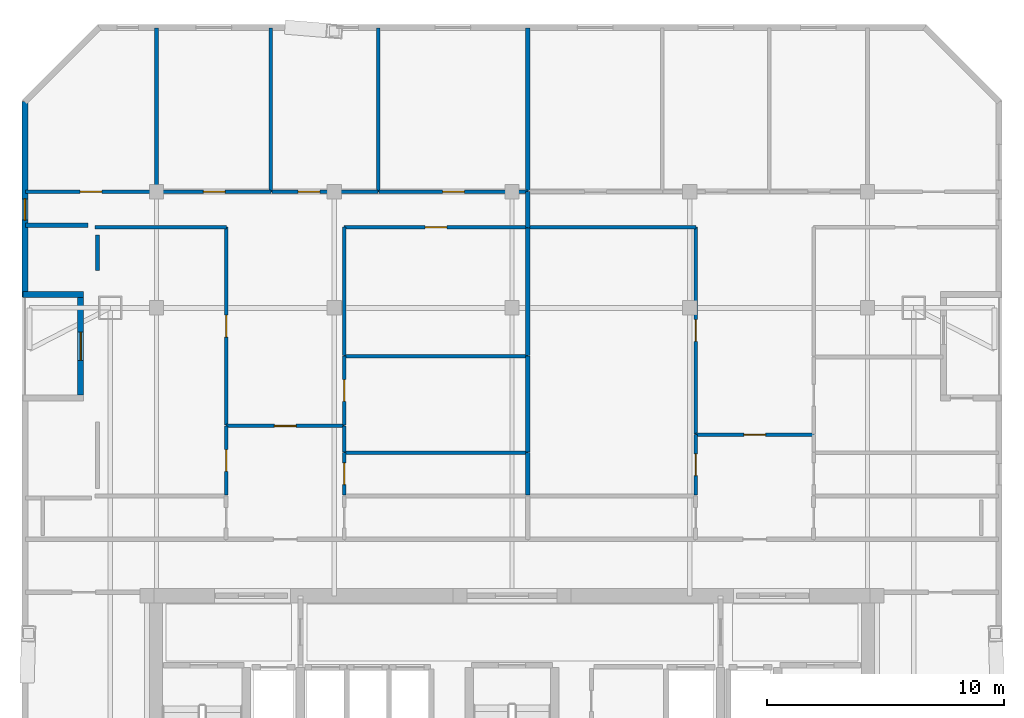
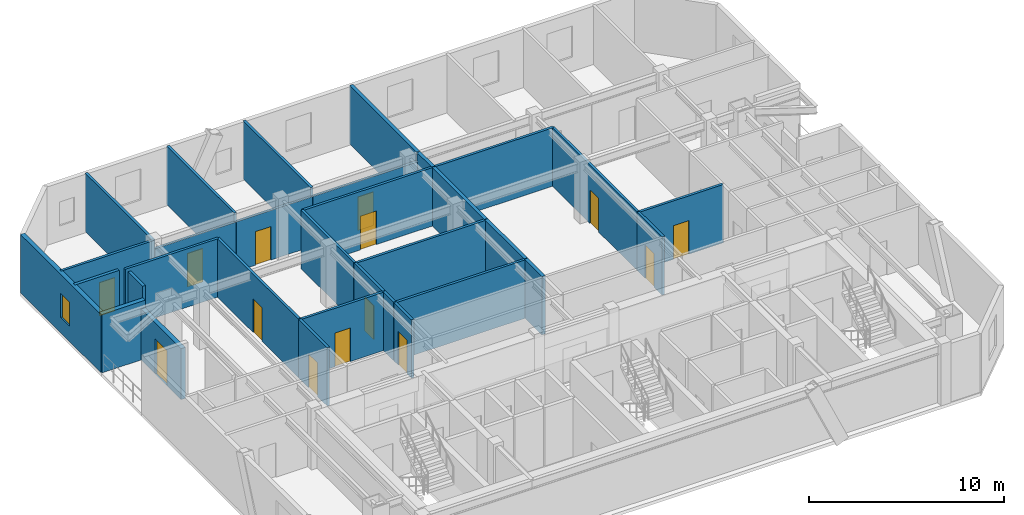
# One storey, part 4 of 7: 32 walls, 14 doors, 1 window, 15 openings.
"""IFC4 building model written with IfcOpenShell, lengths in metres."""

from ifc_helpers import new_model, si_unit, direction, frame, frame_2d, origin, place, context, subcontext, project, spatial, rectangle, extrude, material, layer, layer_set, type_object, element, fill, save


model = new_model("IFC4")

# Units and contexts
model_context = context("Model", 3, precision=1e-05, world=origin(), true_north=direction((0.0, 1.0)))
body_context = subcontext(model_context, "Body", "Model", "MODEL_VIEW")
ifc_project = project(units=[si_unit("LENGTHUNIT", "METRE"), si_unit("AREAUNIT", "SQUARE_METRE"), si_unit("VOLUMEUNIT", "CUBIC_METRE"), si_unit("PLANEANGLEUNIT", "RADIAN"), si_unit("MASSUNIT", "GRAM", prefix="KILO")], contexts=[model_context])

# Site, building, storey
site_placement = place(None, origin())
site = spatial("IfcSite", under=ifc_project, at=site_placement, CompositionType="ELEMENT")
building_placement = place(site_placement, origin())
building = spatial("IfcBuilding", under=site, at=building_placement, Name="Ventersveld Concourse Tower", CompositionType="ELEMENT")
storey_placement = place(building_placement, frame((0.0, 0.0, 264.449951171875)))
storey = spatial("IfcBuildingStorey", under=building, at=storey_placement, Name="L65", CompositionType="ELEMENT", Elevation=264.449951171875)

# Walls
ifc_material_1 = material(Name="Fire-rated autoclaved aerated masonry blockwork", Category="masonry")
ifc_layer_1 = layer(ifc_material_1, 0.179931640625)
ifc_layer_set_1 = layer_set([ifc_layer_1], Name="Fire-rated autoclaved aerated masonry blockwork")
wall_type_1 = type_object("IfcWallType", Name="WL-CORR-180", PredefinedType="PARTITIONING", material=ifc_layer_set_1)
wall_1_placement = place(storey_placement, frame((10.848876953125, 27.090087890625, 0.0), z_axis=(0.0, 0.0, 1.0), x_axis=(-1.0, 0.0, 0.0)))
element("IfcWall", 1, at=wall_1_placement, inside=storey, type_object=wall_type_1, Name="L65 Room Enclosure Wall SP-L65-65N1-LIV", PredefinedType="PARTITIONING", context=body_context, shape_type="SweptSolid", body=[
    extrude(rectangle(XDim=2.630615234375, YDim=0.179931640625, at=frame_2d((1.3154296875, 0.0))), origin(), (0.0, 0.0, 1.0), 3.650146484375),
])
wall_2_placement = place(storey_placement, frame((11.2587890625, 25.169189453125, 0.0), z_axis=(0.0, 0.0, 1.0), x_axis=(0.0, 1.0, 0.0)))
element("IfcWall", 2, at=wall_2_placement, inside=storey, type_object=wall_type_1, Name="L65 Room Enclosure Wall SP-L65-65N1-MEDL0", PredefinedType="PARTITIONING", context=body_context, shape_type="SweptSolid", body=[
    extrude(rectangle(XDim=1.505859375, YDim=0.179931640625, at=frame_2d((0.7529296875, 0.0))), origin(), (0.0, 0.0, 1.0), 3.650146484375),
])
ifc_layer_2 = layer(ifc_material_1, 0.199951171875)
ifc_layer_set_2 = layer_set([ifc_layer_2], Name="Fire-rated autoclaved aerated masonry blockwork")
wall_type_2 = type_object("IfcWallType", Name="WL-DEMISE-200", PredefinedType="PARTITIONING", material=ifc_layer_set_2)
wall_3_placement = place(storey_placement, frame((29.41650390625, 26.9951171875, 0.0), z_axis=(0.0, 0.0, 1.0), x_axis=(0.0, 1.0, 0.0)))
element("IfcWall", 3, at=wall_3_placement, inside=storey, type_object=wall_type_2, Name="L65 Interior Partition SP-L65-65N1-LIV-SP-L65-65N2-LIV", PredefinedType="PARTITIONING", context=body_context, shape_type="SweptSolid", body=[
    extrude(rectangle(XDim=1.509765625, YDim=0.199951171875, at=frame_2d((0.7548828125, 0.0))), origin(), (0.0, 0.0, 1.0), 3.650146484375),
])
wall_4_placement = place(storey_placement, frame((29.41650390625, 15.695068359375, 0.0), z_axis=(0.0, 0.0, 1.0), x_axis=(0.0, 1.0, 0.0)))
element("IfcWall", 4, at=wall_4_placement, inside=storey, type_object=wall_type_2, Name="L65 Interior Partition SP-L65-65N1-KIT-SP-L65-65N2-MEDL0", PredefinedType="PARTITIONING", context=body_context, shape_type="SweptSolid", body=[
    extrude(rectangle(XDim=1.800048828125, YDim=0.199951171875, at=frame_2d((0.89990234375, 0.0))), origin(), (0.0, 0.0, 1.0), 3.650146484375),
])
wall_5_placement = place(storey_placement, frame((29.41650390625, 17.52490234375, 0.0), z_axis=(0.0, 0.0, 1.0), x_axis=(0.0, 1.0, 0.0)))
element("IfcWall", 5, at=wall_5_placement, inside=storey, type_object=wall_type_2, Name="L65 Interior Partition SP-L65-65N1-DENR-SP-L65-65N2-MEDL0", PredefinedType="PARTITIONING", context=body_context, shape_type="SweptSolid", body=[
    extrude(rectangle(XDim=4.041015625, YDim=0.199951171875, at=frame_2d((2.0205078125, 0.0))), origin(), (0.0, 0.0, 1.0), 3.650146484375),
])
wall_6_placement = place(storey_placement, frame((29.41650390625, 21.595703125, 0.0), z_axis=(0.0, 0.0, 1.0), x_axis=(0.0, 1.0, 0.0)))
element("IfcWall", 6, at=wall_6_placement, inside=storey, type_object=wall_type_2, Name="L65 Interior Partition SP-L65-65N1-DENS2-SP-L65-65N2-MEDL0", PredefinedType="PARTITIONING", context=body_context, shape_type="SweptSolid", body=[
    extrude(rectangle(XDim=5.369384765625, YDim=0.199951171875, at=frame_2d((2.6845703125, 0.0))), origin(), (0.0, 0.0, 1.0), 3.650146484375),
])
wall_7_placement = place(storey_placement, frame((29.41650390625, 28.534912109375, 0.0), z_axis=(0.0, 0.0, 1.0), x_axis=(0.0, 1.0, 0.0)))
element("IfcWall", 7, at=wall_7_placement, inside=storey, type_object=wall_type_2, Name="L65 Interior Partition SP-L65-65N1-BR4-SP-L65-65N2-BR1", PredefinedType="PARTITIONING", context=body_context, shape_type="SweptSolid", body=[
    extrude(rectangle(XDim=6.87060546875, YDim=0.199951171875, at=frame_2d((3.435302734375, 0.0))), origin(), (0.0, 0.0, 1.0), 3.650146484375),
])

# Wall, opening, door
ifc_material_2 = material(Name="Autoclaved aerated masonry blockwork", Category="masonry")
ifc_layer_3 = layer(ifc_material_2, 0.14990234375)
ifc_layer_set_3 = layer_set([ifc_layer_3], Name="Autoclaved aerated masonry blockwork")
wall_type_3 = type_object("IfcWallType", Name="WL-INT-150", PredefinedType="PARTITIONING", material=ifc_layer_set_3)
wall_8_placement = place(storey_placement, frame((16.68505859375, 18.6171875, 0.0), z_axis=(0.0, 0.0, 1.0), x_axis=(1.0, 0.0, 0.0)))
wall_8 = element("IfcWall", 8, at=wall_8_placement, inside=storey, type_object=wall_type_3, Name="L65 Interior Partition SP-L65-65N1-FOY-SP-L65-65N1-LIV", PredefinedType="PARTITIONING", context=body_context, shape_type="SweptSolid", body=[
    extrude(rectangle(XDim=4.989990234375, YDim=0.14990234375, at=frame_2d((2.4951171875, 0.0))), origin(), (0.0, 0.0, 1.0), 3.650146484375),
])
opening_1_placement = place(wall_8_placement, frame((2.034912109375, 0.0, 0.0)))
opening_1 = element("IfcOpeningElement", 9, at=opening_1_placement, cuts=wall_8, Name="Opening ID1", PredefinedType="OPENING", context=body_context, shape_type="SweptSolid", body=[
    extrude(rectangle(XDim=0.919921875, YDim=2.10009765625, at=frame_2d((0.4599609375, 1.050048828125))), frame((0.0, 0.0849609375, 0.0), z_axis=(0.0, -1.0, 0.0), x_axis=(1.0, 0.0, 0.0)), (0.0, 0.0, 1.0), 0.169921875),
])
ifc_material_3 = material(Name="Solid-core hardwood veneer timber", Category="wood")
door_type_1 = type_object("IfcDoorType", Name="DR-ROOM-092", OperationType="NOTDEFINED", PredefinedType="DOOR", material=ifc_material_3)
door_1_placement = place(opening_1_placement, origin())
door_1 = element("IfcDoor", 10, at=door_1_placement, inside=storey, type_object=door_type_1, Name="L65 Interior Door SP-L65-65N1-FOY to SP-L65-65N1-LIV (D-L65-3066)", OperationType="SINGLE_SWING_RIGHT", OverallHeight=2.10009765625, OverallWidth=0.919921875, PredefinedType="DOOR", context=body_context, shape_type="SweptSolid", body=[
    extrude(rectangle(XDim=0.919921875, YDim=2.10009765625, at=frame_2d((0.4599609375, 1.050048828125))), frame((0.0, 0.02490234375, 0.0), z_axis=(0.0, -1.0, 0.0), x_axis=(1.0, 0.0, 0.0)), (0.0, 0.0, 1.0), 0.050048828125),
])
fill(opening_1, door_1)

wall_9_placement = place(storey_placement, frame((16.690185546875, 15.695068359375, 0.0), z_axis=(0.0, 0.0, 1.0), x_axis=(0.0, 1.0, 0.0)))
wall_9 = element("IfcWall", 11, at=wall_9_placement, inside=storey, type_object=wall_type_3, Name="L65 Interior Partition SP-L65-65N1-FOY-SP-L65-65N1-MEDL0", PredefinedType="PARTITIONING", context=body_context, shape_type="SweptSolid", body=[
    extrude(rectangle(XDim=2.92724609375, YDim=0.14990234375, at=frame_2d((1.463623046875, 0.0))), origin(), (0.0, 0.0, 1.0), 3.650146484375),
])
opening_2_placement = place(wall_9_placement, frame((1.003662109375, 0.0, 0.0)))
opening_2 = element("IfcOpeningElement", 12, at=opening_2_placement, cuts=wall_9, Name="Opening ID1", PredefinedType="OPENING", context=body_context, shape_type="SweptSolid", body=[
    extrude(rectangle(XDim=0.919921875, YDim=2.10009765625, at=frame_2d((0.4599609375, 1.050048828125))), frame((0.0, 0.0849609375, 0.0), z_axis=(0.0, -1.0, 0.0), x_axis=(1.0, 0.0, 0.0)), (0.0, 0.0, 1.0), 0.169921875),
])
door_2_placement = place(opening_2_placement, origin())
door_2 = element("IfcDoor", 13, at=door_2_placement, inside=storey, type_object=door_type_1, Name="L65 Interior Door SP-L65-65N1-FOY to SP-L65-65N1-MEDL0 (D-L65-3068)", OperationType="SINGLE_SWING_RIGHT", OverallHeight=2.10009765625, OverallWidth=0.919921875, PredefinedType="DOOR", context=body_context, shape_type="SweptSolid", body=[
    extrude(rectangle(XDim=0.919921875, YDim=2.10009765625, at=frame_2d((0.4599609375, 1.050048828125))), frame((0.0, 0.02490234375, 0.0), z_axis=(0.0, -1.0, 0.0), x_axis=(1.0, 0.0, 0.0)), (0.0, 0.0, 1.0), 0.050048828125),
])
fill(opening_2, door_2)

wall_10_placement = place(storey_placement, frame((21.670166015625, 15.695068359375, 0.0), z_axis=(0.0, 0.0, 1.0), x_axis=(0.0, 1.0, 0.0)))
wall_10 = element("IfcWall", 14, at=wall_10_placement, inside=storey, type_object=wall_type_3, Name="L65 Interior Partition SP-L65-65N1-FOY-SP-L65-65N1-KIT", PredefinedType="PARTITIONING", context=body_context, shape_type="SweptSolid", body=[
    extrude(rectangle(XDim=1.800048828125, YDim=0.14990234375, at=frame_2d((0.89990234375, 0.0))), origin(), (0.0, 0.0, 1.0), 3.650146484375),
])
opening_3_placement = place(wall_10_placement, frame((0.43994140625, 0.0, 0.0)))
opening_3 = element("IfcOpeningElement", 15, at=opening_3_placement, cuts=wall_10, Name="Opening ID1", PredefinedType="OPENING", context=body_context, shape_type="SweptSolid", body=[
    extrude(rectangle(XDim=0.919921875, YDim=2.10009765625, at=frame_2d((0.4599609375, 1.050048828125))), frame((0.0, 0.0849609375, 0.0), z_axis=(0.0, -1.0, 0.0), x_axis=(1.0, 0.0, 0.0)), (0.0, 0.0, 1.0), 0.169921875),
])
door_3_placement = place(opening_3_placement, origin())
door_3 = element("IfcDoor", 16, at=door_3_placement, inside=storey, type_object=door_type_1, Name="L65 Interior Door SP-L65-65N1-FOY to SP-L65-65N1-KIT (D-L65-3070)", OperationType="SINGLE_SWING_RIGHT", OverallHeight=2.10009765625, OverallWidth=0.919921875, PredefinedType="DOOR", context=body_context, shape_type="SweptSolid", body=[
    extrude(rectangle(XDim=0.919921875, YDim=2.10009765625, at=frame_2d((0.4599609375, 1.050048828125))), frame((0.0, 0.02490234375, 0.0), z_axis=(0.0, -1.0, 0.0), x_axis=(1.0, 0.0, 0.0)), (0.0, 0.0, 1.0), 0.050048828125),
])
fill(opening_3, door_3)

# Wall
wall_11_placement = place(storey_placement, frame((21.670166015625, 17.52490234375, 0.0), z_axis=(0.0, 0.0, 1.0), x_axis=(0.0, 1.0, 0.0)))
element("IfcWall", 17, at=wall_11_placement, inside=storey, type_object=wall_type_3, Name="L65 Interior Partition SP-L65-65N1-FOY-SP-L65-65N1-DENR", PredefinedType="PARTITIONING", context=body_context, shape_type="SweptSolid", body=[
    extrude(rectangle(XDim=1.097412109375, YDim=0.14990234375, at=frame_2d((0.548828125, 0.0))), origin(), (0.0, 0.0, 1.0), 3.650146484375),
])

# Wall, opening, door
wall_12_placement = place(storey_placement, frame((16.690185546875, 18.652099609375, 0.0), z_axis=(0.0, 0.0, 1.0), x_axis=(0.0, 1.0, 0.0)))
wall_12 = element("IfcWall", 18, at=wall_12_placement, inside=storey, type_object=wall_type_3, Name="L65 Interior Partition SP-L65-65N1-LIV-SP-L65-65N1-MEDL0", PredefinedType="PARTITIONING", context=body_context, shape_type="SweptSolid", body=[
    extrude(rectangle(XDim=8.352783203125, YDim=0.14990234375, at=frame_2d((4.17626953125, 0.0))), origin(), (0.0, 0.0, 1.0), 3.650146484375),
])
opening_4_placement = place(wall_12_placement, frame((3.71630859375, 0.0, 0.0)))
opening_4 = element("IfcOpeningElement", 19, at=opening_4_placement, cuts=wall_12, Name="Opening ID1", PredefinedType="OPENING", context=body_context, shape_type="SweptSolid", body=[
    extrude(rectangle(XDim=0.919921875, YDim=2.10009765625, at=frame_2d((0.4599609375, 1.050048828125))), frame((0.0, 0.0849609375, 0.0), z_axis=(0.0, -1.0, 0.0), x_axis=(1.0, 0.0, 0.0)), (0.0, 0.0, 1.0), 0.169921875),
])
door_4_placement = place(opening_4_placement, origin())
door_4 = element("IfcDoor", 20, at=door_4_placement, inside=storey, type_object=door_type_1, Name="L65 Interior Door SP-L65-65N1-LIV to SP-L65-65N1-MEDL0 (D-L65-3071)", OperationType="SINGLE_SWING_LEFT", OverallHeight=2.10009765625, OverallWidth=0.919921875, PredefinedType="DOOR", context=body_context, shape_type="SweptSolid", body=[
    extrude(rectangle(XDim=0.919921875, YDim=2.10009765625, at=frame_2d((0.4599609375, 1.050048828125))), frame((0.0, 0.02490234375, 0.0), z_axis=(0.0, -1.0, 0.0), x_axis=(1.0, 0.0, 0.0)), (0.0, 0.0, 1.0), 0.050048828125),
])
fill(opening_4, door_4)

# Wall
wall_13_placement = place(storey_placement, frame((11.163818359375, 27.0, 0.0), z_axis=(0.0, 0.0, 1.0), x_axis=(1.0, 0.0, 0.0)))
element("IfcWall", 21, at=wall_13_placement, inside=storey, type_object=wall_type_3, Name="L65 Interior Partition SP-L65-65N1-LIV-SP-L65-65N1-MEDL0", PredefinedType="PARTITIONING", context=body_context, shape_type="SweptSolid", body=[
    extrude(rectangle(XDim=5.53125, YDim=0.14990234375, at=frame_2d((2.765625, 0.0))), origin(), (0.0, 0.0, 1.0), 3.650146484375),
])

# Wall, opening, door
wall_14_placement = place(storey_placement, frame((21.670166015625, 18.652099609375, 0.0), z_axis=(0.0, 0.0, 1.0), x_axis=(0.0, 1.0, 0.0)))
wall_14 = element("IfcWall", 22, at=wall_14_placement, inside=storey, type_object=wall_type_3, Name="L65 Interior Partition SP-L65-65N1-LIV-SP-L65-65N1-DENR", PredefinedType="PARTITIONING", context=body_context, shape_type="SweptSolid", body=[
    extrude(rectangle(XDim=2.913818359375, YDim=0.14990234375, at=frame_2d((1.45703125, 0.0))), origin(), (0.0, 0.0, 1.0), 3.650146484375),
])
opening_5_placement = place(wall_14_placement, frame((0.996826171875, 0.0, 0.0)))
opening_5 = element("IfcOpeningElement", 23, at=opening_5_placement, cuts=wall_14, Name="Opening ID1", PredefinedType="OPENING", context=body_context, shape_type="SweptSolid", body=[
    extrude(rectangle(XDim=0.919921875, YDim=2.10009765625, at=frame_2d((0.4599609375, 1.050048828125))), frame((0.0, 0.0849609375, 0.0), z_axis=(0.0, -1.0, 0.0), x_axis=(1.0, 0.0, 0.0)), (0.0, 0.0, 1.0), 0.169921875),
])
door_5_placement = place(opening_5_placement, origin())
door_5 = element("IfcDoor", 24, at=door_5_placement, inside=storey, type_object=door_type_1, Name="L65 Interior Door SP-L65-65N1-LIV to SP-L65-65N1-DENR (D-L65-3072)", OperationType="SINGLE_SWING_RIGHT", OverallHeight=2.10009765625, OverallWidth=0.919921875, PredefinedType="DOOR", context=body_context, shape_type="SweptSolid", body=[
    extrude(rectangle(XDim=0.919921875, YDim=2.10009765625, at=frame_2d((0.4599609375, 1.050048828125))), frame((0.0, 0.02490234375, 0.0), z_axis=(0.0, -1.0, 0.0), x_axis=(1.0, 0.0, 0.0)), (0.0, 0.0, 1.0), 0.050048828125),
])
fill(opening_5, door_5)

wall_15_placement = place(storey_placement, frame((21.6650390625, 27.0, 0.0), z_axis=(0.0, 0.0, 1.0), x_axis=(1.0, 0.0, 0.0)))
wall_15 = element("IfcWall", 25, at=wall_15_placement, inside=storey, type_object=wall_type_3, Name="L65 Interior Partition SP-L65-65N1-LIV-SP-L65-65N1-DENS2", PredefinedType="PARTITIONING", context=body_context, shape_type="SweptSolid", body=[
    extrude(rectangle(XDim=7.756591796875, YDim=0.14990234375, at=frame_2d((3.87841796875, 0.0))), origin(), (0.0, 0.0, 1.0), 3.650146484375),
])
opening_6_placement = place(wall_15_placement, frame((3.418212890625, 0.0, 0.0)))
opening_6 = element("IfcOpeningElement", 26, at=opening_6_placement, cuts=wall_15, Name="Opening ID1", PredefinedType="OPENING", context=body_context, shape_type="SweptSolid", body=[
    extrude(rectangle(XDim=0.919921875, YDim=2.10009765625, at=frame_2d((0.4599609375, 1.050048828125))), frame((0.0, 0.0849609375, 0.0), z_axis=(0.0, -1.0, 0.0), x_axis=(1.0, 0.0, 0.0)), (0.0, 0.0, 1.0), 0.169921875),
])
door_6_placement = place(opening_6_placement, origin())
door_6 = element("IfcDoor", 27, at=door_6_placement, inside=storey, type_object=door_type_1, Name="L65 Interior Door SP-L65-65N1-LIV to SP-L65-65N1-DENS2 (D-L65-3073)", OperationType="SINGLE_SWING_LEFT", OverallHeight=2.10009765625, OverallWidth=0.919921875, PredefinedType="DOOR", context=body_context, shape_type="SweptSolid", body=[
    extrude(rectangle(XDim=0.919921875, YDim=2.10009765625, at=frame_2d((0.4599609375, 1.050048828125))), frame((0.0, 0.02490234375, 0.0), z_axis=(0.0, -1.0, 0.0), x_axis=(1.0, 0.0, 0.0)), (0.0, 0.0, 1.0), 0.050048828125),
])
fill(opening_6, door_6)

# Wall
wall_16_placement = place(storey_placement, frame((21.670166015625, 21.595703125, 0.0), z_axis=(0.0, 0.0, 1.0), x_axis=(0.0, 1.0, 0.0)))
element("IfcWall", 28, at=wall_16_placement, inside=storey, type_object=wall_type_3, Name="L65 Interior Partition SP-L65-65N1-LIV-SP-L65-65N1-DENS2", PredefinedType="PARTITIONING", context=body_context, shape_type="SweptSolid", body=[
    extrude(rectangle(XDim=5.4091796875, YDim=0.14990234375, at=frame_2d((2.70458984375, 0.0))), origin(), (0.0, 0.0, 1.0), 3.650146484375),
])

# Wall, opening, door
wall_17_placement = place(storey_placement, frame((8.21826171875, 28.5, 0.0), z_axis=(0.0, 0.0, 1.0), x_axis=(1.0, 0.0, 0.0)))
wall_17 = element("IfcWall", 29, at=wall_17_placement, inside=storey, type_object=wall_type_3, Name="L65 Interior Partition SP-L65-65N1-LIV-SP-L65-65N1-BR1", PredefinedType="PARTITIONING", context=body_context, shape_type="SweptSolid", body=[
    extrude(rectangle(XDim=5.53662109375, YDim=0.14990234375, at=frame_2d((2.768310546875, 0.0))), origin(), (0.0, 0.0, 1.0), 3.650146484375),
])
opening_7_placement = place(wall_17_placement, frame((2.308349609375, 0.0, 0.0)))
opening_7 = element("IfcOpeningElement", 30, at=opening_7_placement, cuts=wall_17, Name="Opening ID1", PredefinedType="OPENING", context=body_context, shape_type="SweptSolid", body=[
    extrude(rectangle(XDim=0.919921875, YDim=2.10009765625, at=frame_2d((0.4599609375, 1.050048828125))), frame((0.0, 0.0849609375, 0.0), z_axis=(0.0, -1.0, 0.0), x_axis=(1.0, 0.0, 0.0)), (0.0, 0.0, 1.0), 0.169921875),
])
door_7_placement = place(opening_7_placement, origin())
door_7 = element("IfcDoor", 31, at=door_7_placement, inside=storey, type_object=door_type_1, Name="L65 Interior Door SP-L65-65N1-LIV to SP-L65-65N1-BR1 (D-L65-3074)", OperationType="SINGLE_SWING_RIGHT", OverallHeight=2.10009765625, OverallWidth=0.919921875, PredefinedType="DOOR", context=body_context, shape_type="SweptSolid", body=[
    extrude(rectangle(XDim=0.919921875, YDim=2.10009765625, at=frame_2d((0.4599609375, 1.050048828125))), frame((0.0, 0.02490234375, 0.0), z_axis=(0.0, -1.0, 0.0), x_axis=(1.0, 0.0, 0.0)), (0.0, 0.0, 1.0), 0.050048828125),
])
fill(opening_7, door_7)

wall_18_placement = place(storey_placement, frame((13.784912109375, 28.5, 0.0), z_axis=(0.0, 0.0, 1.0), x_axis=(1.0, 0.0, 0.0)))
wall_18 = element("IfcWall", 32, at=wall_18_placement, inside=storey, type_object=wall_type_3, Name="L65 Interior Partition SP-L65-65N1-LIV-SP-L65-65N1-BR2", PredefinedType="PARTITIONING", context=body_context, shape_type="SweptSolid", body=[
    extrude(rectangle(XDim=4.799560546875, YDim=0.14990234375, at=frame_2d((2.39990234375, 0.0))), origin(), (0.0, 0.0, 1.0), 3.10546875),
])
opening_8_placement = place(wall_18_placement, frame((1.939697265625, 0.0, 0.0)))
opening_8 = element("IfcOpeningElement", 33, at=opening_8_placement, cuts=wall_18, Name="Opening ID1", PredefinedType="OPENING", context=body_context, shape_type="SweptSolid", body=[
    extrude(rectangle(XDim=0.919921875, YDim=2.10009765625, at=frame_2d((0.4599609375, 1.050048828125))), frame((0.0, 0.0849609375, 0.0), z_axis=(0.0, -1.0, 0.0), x_axis=(1.0, 0.0, 0.0)), (0.0, 0.0, 1.0), 0.169921875),
])
door_8_placement = place(opening_8_placement, origin())
door_8 = element("IfcDoor", 34, at=door_8_placement, inside=storey, type_object=door_type_1, Name="L65 Interior Door SP-L65-65N1-LIV to SP-L65-65N1-BR2 (D-L65-3075)", OperationType="SINGLE_SWING_LEFT", OverallHeight=2.10009765625, OverallWidth=0.919921875, PredefinedType="DOOR", context=body_context, shape_type="SweptSolid", body=[
    extrude(rectangle(XDim=0.919921875, YDim=2.10009765625, at=frame_2d((0.4599609375, 1.050048828125))), frame((0.0, 0.02490234375, 0.0), z_axis=(0.0, -1.0, 0.0), x_axis=(1.0, 0.0, 0.0)), (0.0, 0.0, 1.0), 0.050048828125),
])
fill(opening_8, door_8)

wall_19_placement = place(storey_placement, frame((18.614501953125, 28.5, 0.0), z_axis=(0.0, 0.0, 1.0), x_axis=(1.0, 0.0, 0.0)))
wall_19 = element("IfcWall", 35, at=wall_19_placement, inside=storey, type_object=wall_type_3, Name="L65 Interior Partition SP-L65-65N1-LIV-SP-L65-65N1-BR3", PredefinedType="PARTITIONING", context=body_context, shape_type="SweptSolid", body=[
    extrude(rectangle(XDim=4.489501953125, YDim=0.14990234375, at=frame_2d((2.24462890625, 0.0))), origin(), (0.0, 0.0, 1.0), 3.10546875),
])
opening_9_placement = place(wall_19_placement, frame((1.111328125, 0.0, 0.0)))
opening_9 = element("IfcOpeningElement", 36, at=opening_9_placement, cuts=wall_19, Name="Opening ID1", PredefinedType="OPENING", context=body_context, shape_type="SweptSolid", body=[
    extrude(rectangle(XDim=0.919921875, YDim=2.10009765625, at=frame_2d((0.4599609375, 1.050048828125))), frame((0.0, 0.0849609375, 0.0), z_axis=(0.0, -1.0, 0.0), x_axis=(1.0, 0.0, 0.0)), (0.0, 0.0, 1.0), 0.169921875),
])
door_9_placement = place(opening_9_placement, origin())
door_9 = element("IfcDoor", 37, at=door_9_placement, inside=storey, type_object=door_type_1, Name="L65 Interior Door SP-L65-65N1-LIV to SP-L65-65N1-BR3 (D-L65-3076)", OperationType="SINGLE_SWING_RIGHT", OverallHeight=2.10009765625, OverallWidth=0.919921875, PredefinedType="DOOR", context=body_context, shape_type="SweptSolid", body=[
    extrude(rectangle(XDim=0.919921875, YDim=2.10009765625, at=frame_2d((0.4599609375, 1.050048828125))), frame((0.0, 0.02490234375, 0.0), z_axis=(0.0, -1.0, 0.0), x_axis=(1.0, 0.0, 0.0)), (0.0, 0.0, 1.0), 0.050048828125),
])
fill(opening_9, door_9)

wall_20_placement = place(storey_placement, frame((23.134033203125, 28.5, 0.0), z_axis=(0.0, 0.0, 1.0), x_axis=(1.0, 0.0, 0.0)))
wall_20 = element("IfcWall", 38, at=wall_20_placement, inside=storey, type_object=wall_type_3, Name="L65 Interior Partition SP-L65-65N1-LIV-SP-L65-65N1-BR4", PredefinedType="PARTITIONING", context=body_context, shape_type="SweptSolid", body=[
    extrude(rectangle(XDim=6.28759765625, YDim=0.14990234375, at=frame_2d((3.143798828125, 0.0))), origin(), (0.0, 0.0, 1.0), 3.10546875),
])
opening_10_placement = place(wall_20_placement, frame((2.683837890625, 0.0, 0.0)))
opening_10 = element("IfcOpeningElement", 39, at=opening_10_placement, cuts=wall_20, Name="Opening ID1", PredefinedType="OPENING", context=body_context, shape_type="SweptSolid", body=[
    extrude(rectangle(XDim=0.919921875, YDim=2.10009765625, at=frame_2d((0.4599609375, 1.050048828125))), frame((0.0, 0.0849609375, 0.0), z_axis=(0.0, -1.0, 0.0), x_axis=(1.0, 0.0, 0.0)), (0.0, 0.0, 1.0), 0.169921875),
])
door_10_placement = place(opening_10_placement, origin())
door_10 = element("IfcDoor", 40, at=door_10_placement, inside=storey, type_object=door_type_1, Name="L65 Interior Door SP-L65-65N1-LIV to SP-L65-65N1-BR4 (D-L65-3077)", OperationType="SINGLE_SWING_LEFT", OverallHeight=2.10009765625, OverallWidth=0.919921875, PredefinedType="DOOR", context=body_context, shape_type="SweptSolid", body=[
    extrude(rectangle(XDim=0.919921875, YDim=2.10009765625, at=frame_2d((0.4599609375, 1.050048828125))), frame((0.0, 0.02490234375, 0.0), z_axis=(0.0, -1.0, 0.0), x_axis=(1.0, 0.0, 0.0)), (0.0, 0.0, 1.0), 0.050048828125),
])
fill(opening_10, door_10)

# Walls
for number, where, z_axis, x_axis, name in (
    (41, (21.6650390625, 17.489990234375, 0.0), (0.0, 0.0, 1.0), (1.0, 0.0, 0.0), "L65 Interior Partition SP-L65-65N1-KIT-SP-L65-65N1-DENR"),
    (42, (21.6650390625, 21.560791015625, 0.0), (0.0, 0.0, 1.0), (1.0, 0.0, 0.0), "L65 Interior Partition SP-L65-65N1-DENR-SP-L65-65N1-DENS2"),
):
    element("IfcWall", number, at=place(storey_placement, frame(where, z_axis=z_axis, x_axis=x_axis)), inside=storey, type_object=wall_type_3, Name=name, PredefinedType="PARTITIONING", context=body_context, shape_type="SweptSolid", body=[
        extrude(rectangle(XDim=7.756591796875, YDim=0.14990234375, at=frame_2d((3.87841796875, 0.0))), origin(), (0.0, 0.0, 1.0), 3.650146484375),
    ])
for number, where, z_axis, x_axis, name in (
    (43, (13.75, 28.4951171875, 0.0), (0.0, 0.0, 1.0), (0.0, 1.0, 0.0), "L65 Interior Partition SP-L65-65N1-BR1-SP-L65-65N1-BR2"),
    (44, (18.57958984375, 28.4951171875, 0.0), (0.0, 0.0, 1.0), (0.0, 1.0, 0.0), "L65 Interior Partition SP-L65-65N1-BR2-SP-L65-65N1-BR3"),
    (45, (23.09912109375, 28.4951171875, 0.0), (0.0, 0.0, 1.0), (0.0, 1.0, 0.0), "L65 Interior Partition SP-L65-65N1-BR3-SP-L65-65N1-BR4"),
):
    element("IfcWall", number, at=place(storey_placement, frame(where, z_axis=z_axis, x_axis=x_axis)), inside=storey, type_object=wall_type_3, Name=name, PredefinedType="PARTITIONING", context=body_context, shape_type="SweptSolid", body=[
        extrude(rectangle(XDim=6.910400390625, YDim=0.14990234375, at=frame_2d((3.455078125, 0.0))), origin(), (0.0, 0.0, 1.0), 3.650146484375),
    ])

# Wall, opening, door
wall_21_placement = place(storey_placement, frame((36.494384765625, 18.25048828125, 0.0), z_axis=(0.0, 0.0, 1.0), x_axis=(1.0, 0.0, 0.0)))
wall_21 = element("IfcWall", 46, at=wall_21_placement, inside=storey, type_object=wall_type_3, Name="L65 Interior Partition SP-L65-65N2-FOY-SP-L65-65N2-LIV", PredefinedType="PARTITIONING", context=body_context, shape_type="SweptSolid", body=[
    extrude(rectangle(XDim=4.989990234375, YDim=0.14990234375, at=frame_2d((2.4951171875, 0.0))), origin(), (0.0, 0.0, 1.0), 3.650146484375),
])
opening_11_placement = place(wall_21_placement, frame((2.034912109375, 0.0, 0.0)))
opening_11 = element("IfcOpeningElement", 47, at=opening_11_placement, cuts=wall_21, Name="Opening ID1", PredefinedType="OPENING", context=body_context, shape_type="SweptSolid", body=[
    extrude(rectangle(XDim=0.919921875, YDim=2.10009765625, at=frame_2d((0.4599609375, 1.050048828125))), frame((0.0, 0.0849609375, 0.0), z_axis=(0.0, -1.0, 0.0), x_axis=(1.0, 0.0, 0.0)), (0.0, 0.0, 1.0), 0.169921875),
])
door_11_placement = place(opening_11_placement, origin())
door_11 = element("IfcDoor", 48, at=door_11_placement, inside=storey, type_object=door_type_1, Name="L65 Interior Door SP-L65-65N2-FOY to SP-L65-65N2-LIV (D-L65-3078)", OperationType="SINGLE_SWING_RIGHT", OverallHeight=2.10009765625, OverallWidth=0.919921875, PredefinedType="DOOR", context=body_context, shape_type="SweptSolid", body=[
    extrude(rectangle(XDim=0.919921875, YDim=2.10009765625, at=frame_2d((0.4599609375, 1.050048828125))), frame((0.0, 0.02490234375, 0.0), z_axis=(0.0, -1.0, 0.0), x_axis=(1.0, 0.0, 0.0)), (0.0, 0.0, 1.0), 0.050048828125),
])
fill(opening_11, door_11)

wall_22_placement = place(storey_placement, frame((36.499267578125, 15.695068359375, 0.0), z_axis=(0.0, 0.0, 1.0), x_axis=(0.0, 1.0, 0.0)))
wall_22 = element("IfcWall", 49, at=wall_22_placement, inside=storey, type_object=wall_type_3, Name="L65 Interior Partition SP-L65-65N2-FOY-SP-L65-65N2-MEDL0", PredefinedType="PARTITIONING", context=body_context, shape_type="SweptSolid", body=[
    extrude(rectangle(XDim=2.560546875, YDim=0.14990234375, at=frame_2d((1.2802734375, 0.0))), origin(), (0.0, 0.0, 1.0), 3.650146484375),
])
opening_12_placement = place(wall_22_placement, frame((0.8203125, 0.0, 0.0)))
opening_12 = element("IfcOpeningElement", 50, at=opening_12_placement, cuts=wall_22, Name="Opening ID1", PredefinedType="OPENING", context=body_context, shape_type="SweptSolid", body=[
    extrude(rectangle(XDim=0.919921875, YDim=2.10009765625, at=frame_2d((0.4599609375, 1.050048828125))), frame((0.0, 0.0849609375, 0.0), z_axis=(0.0, -1.0, 0.0), x_axis=(1.0, 0.0, 0.0)), (0.0, 0.0, 1.0), 0.169921875),
])
door_12_placement = place(opening_12_placement, origin())
door_12 = element("IfcDoor", 51, at=door_12_placement, inside=storey, type_object=door_type_1, Name="L65 Interior Door SP-L65-65N2-FOY to SP-L65-65N2-MEDL0 (D-L65-3080)", OperationType="SINGLE_SWING_RIGHT", OverallHeight=2.10009765625, OverallWidth=0.919921875, PredefinedType="DOOR", context=body_context, shape_type="SweptSolid", body=[
    extrude(rectangle(XDim=0.919921875, YDim=2.10009765625, at=frame_2d((0.4599609375, 1.050048828125))), frame((0.0, 0.02490234375, 0.0), z_axis=(0.0, -1.0, 0.0), x_axis=(1.0, 0.0, 0.0)), (0.0, 0.0, 1.0), 0.050048828125),
])
fill(opening_12, door_12)

wall_23_placement = place(storey_placement, frame((36.499267578125, 18.28564453125, 0.0), z_axis=(0.0, 0.0, 1.0), x_axis=(0.0, 1.0, 0.0)))
wall_23 = element("IfcWall", 52, at=wall_23_placement, inside=storey, type_object=wall_type_3, Name="L65 Interior Partition SP-L65-65N2-LIV-SP-L65-65N2-MEDL0", PredefinedType="PARTITIONING", context=body_context, shape_type="SweptSolid", body=[
    extrude(rectangle(XDim=8.71923828125, YDim=0.14990234375, at=frame_2d((4.359619140625, 0.0))), origin(), (0.0, 0.0, 1.0), 3.650146484375),
])
opening_13_placement = place(wall_23_placement, frame((3.899658203125, 0.0, 0.0)))
opening_13 = element("IfcOpeningElement", 53, at=opening_13_placement, cuts=wall_23, Name="Opening ID1", PredefinedType="OPENING", context=body_context, shape_type="SweptSolid", body=[
    extrude(rectangle(XDim=0.919921875, YDim=2.10009765625, at=frame_2d((0.4599609375, 1.050048828125))), frame((0.0, 0.0849609375, 0.0), z_axis=(0.0, -1.0, 0.0), x_axis=(1.0, 0.0, 0.0)), (0.0, 0.0, 1.0), 0.169921875),
])
door_13_placement = place(opening_13_placement, origin())
door_13 = element("IfcDoor", 54, at=door_13_placement, inside=storey, type_object=door_type_1, Name="L65 Interior Door SP-L65-65N2-LIV to SP-L65-65N2-MEDL0 (D-L65-3083)", OperationType="SINGLE_SWING_LEFT", OverallHeight=2.10009765625, OverallWidth=0.919921875, PredefinedType="DOOR", context=body_context, shape_type="SweptSolid", body=[
    extrude(rectangle(XDim=0.919921875, YDim=2.10009765625, at=frame_2d((0.4599609375, 1.050048828125))), frame((0.0, 0.02490234375, 0.0), z_axis=(0.0, -1.0, 0.0), x_axis=(1.0, 0.0, 0.0)), (0.0, 0.0, 1.0), 0.050048828125),
])
fill(opening_13, door_13)

# Wall
wall_24_placement = place(storey_placement, frame((29.45166015625, 27.0, 0.0), z_axis=(0.0, 0.0, 1.0), x_axis=(1.0, 0.0, 0.0)))
element("IfcWall", 55, at=wall_24_placement, inside=storey, type_object=wall_type_3, Name="L65 Interior Partition SP-L65-65N2-LIV-SP-L65-65N2-MEDL0", PredefinedType="PARTITIONING", context=body_context, shape_type="SweptSolid", body=[
    extrude(rectangle(XDim=7.052734375, YDim=0.14990234375, at=frame_2d((3.5263671875, 0.0))), origin(), (0.0, 0.0, 1.0), 3.650146484375),
])

# Wall, opening, window
ifc_material_4 = material(Name="Precast concrete C45/55", Category="concrete")
ifc_layer_4 = layer(ifc_material_4, 0.260009765625)
ifc_layer_set_4 = layer_set([ifc_layer_4], Name="Precast concrete C45/55")
wall_type_4 = type_object("IfcWallType", Name="WL-PREC-260", PredefinedType="SOLIDWALL", material=ifc_layer_set_4)
wall_25_placement = place(storey_placement, frame((8.19873046875, 32.31494140625, 0.0), z_axis=(0.0, 0.0, 1.0), x_axis=(0.0, -1.0, 0.0)))
wall_25 = element("IfcWall", 56, at=wall_25_placement, inside=storey, type_object=wall_type_4, Name="L65 Highveld Precast Facade Wall E11", PredefinedType="SOLIDWALL", context=body_context, shape_type="SweptSolid", body=[
    extrude(rectangle(XDim=8.24755859375, YDim=0.260009765625, at=frame_2d((4.123779296875, 0.0))), origin(), (0.0, 0.0, 1.0), 3.650146484375),
])
opening_14_placement = place(wall_25_placement, frame((4.114990234375, 0.0, 0.949951171875)))
opening_14 = element("IfcOpeningElement", 57, at=opening_14_placement, cuts=wall_25, Name="Opening W4", PredefinedType="OPENING", context=body_context, shape_type="SweptSolid", body=[
    extrude(rectangle(XDim=0.89990234375, YDim=1.5, at=frame_2d((0.449951171875, 0.75))), frame((0.0, 0.14013671875, 0.0), z_axis=(0.0, -1.0, 0.0), x_axis=(1.0, 0.0, 0.0)), (0.0, 0.0, 1.0), 0.280029296875),
])
ifc_material_5 = material(Name="Tempered acoustic Low-E IGU", Category="glass")
window_type = type_object("IfcWindowType", Name="WIN-090x150", PartitioningType="SINGLE_PANEL", PredefinedType="WINDOW", material=ifc_material_5)
window_placement = place(opening_14_placement, origin())
window = element("IfcWindow", 58, at=window_placement, inside=storey, type_object=window_type, Name="L65 Punched Low-E Window W-0923", OverallHeight=1.5, OverallWidth=0.89990234375, PartitioningType="SINGLE_PANEL", PredefinedType="WINDOW", context=body_context, shape_type="SweptSolid", body=[
    extrude(rectangle(XDim=0.89990234375, YDim=1.5, at=frame_2d((0.449951171875, 0.75))), frame((0.0, 0.030029296875, 0.0), z_axis=(0.0, -1.0, 0.0), x_axis=(1.0, 0.0, 0.0)), (0.0, 0.0, 1.0), 0.06005859375),
])
fill(opening_14, window)

# Wall
wall_26_placement = place(storey_placement, frame((8.10888671875, 24.157470703125, 0.0), z_axis=(0.0, 0.0, 1.0), x_axis=(1.0, 0.0, 0.0)))
element("IfcWall", 59, at=wall_26_placement, inside=storey, type_object=wall_type_4, Name="L65 Highveld Precast Facade Wall E12", PredefinedType="SOLIDWALL", context=body_context, shape_type="SweptSolid", body=[
    extrude(rectangle(XDim=2.56982421875, YDim=0.260009765625, at=frame_2d((1.284912109375, 0.0))), origin(), (0.0, 0.0, 1.0), 3.650146484375),
])

# Wall, opening, door
wall_27_placement = place(storey_placement, frame((10.548828125, 24.027587890625, 0.0), z_axis=(0.0, 0.0, 1.0), x_axis=(0.0, -1.0, 0.0)))
wall_27 = element("IfcWall", 60, at=wall_27_placement, inside=storey, type_object=wall_type_4, Name="L65 Highveld Precast Facade Wall E13", PredefinedType="SOLIDWALL", context=body_context, shape_type="SweptSolid", body=[
    extrude(rectangle(XDim=4.10009765625, YDim=0.260009765625, at=frame_2d((2.050048828125, 0.0))), origin(), (0.0, 0.0, 1.0), 3.18994140625),
])
opening_15_placement = place(wall_27_placement, frame((1.449951171875, 0.0, 0.0)))
opening_15 = element("IfcOpeningElement", 61, at=opening_15_placement, cuts=wall_27, Name="Opening TD1", PredefinedType="OPENING", context=body_context, shape_type="SweptSolid", body=[
    extrude(rectangle(XDim=1.199951171875, YDim=2.199951171875, at=frame_2d((0.60009765625, 1.10009765625))), frame((0.0, 0.14013671875, 0.0), z_axis=(0.0, -1.0, 0.0), x_axis=(1.0, 0.0, 0.0)), (0.0, 0.0, 1.0), 0.280029296875),
])
ifc_material_6 = material(Name="Anodised aluminium EN AW-6063-T6", Category="aluminium")
door_type_2 = type_object("IfcDoorType", Name="DR-TERR-120", OperationType="NOTDEFINED", PredefinedType="DOOR", material=ifc_material_6)
door_14_placement = place(opening_15_placement, frame((1.199951171875, 0.0, 0.0), z_axis=(0.0, 0.0, 1.0), x_axis=(-1.0, 0.0, 0.0)))
door_14 = element("IfcDoor", 62, at=door_14_placement, inside=storey, type_object=door_type_2, Name="L65 Stepped Valley Terrace Door TD-L65-01", OperationType="SINGLE_SWING_RIGHT", OverallHeight=2.199951171875, OverallWidth=1.199951171875, PredefinedType="DOOR", context=body_context, shape_type="SweptSolid", body=[
    extrude(rectangle(XDim=1.199951171875, YDim=2.199951171875, at=frame_2d((0.60009765625, 1.10009765625))), frame((0.0, 0.02490234375, 0.0), z_axis=(0.0, -1.0, 0.0), x_axis=(1.0, 0.0, 0.0)), (0.0, 0.0, 1.0), 0.050048828125),
])
fill(opening_15, door_14)

save(model, "model.ifc")
